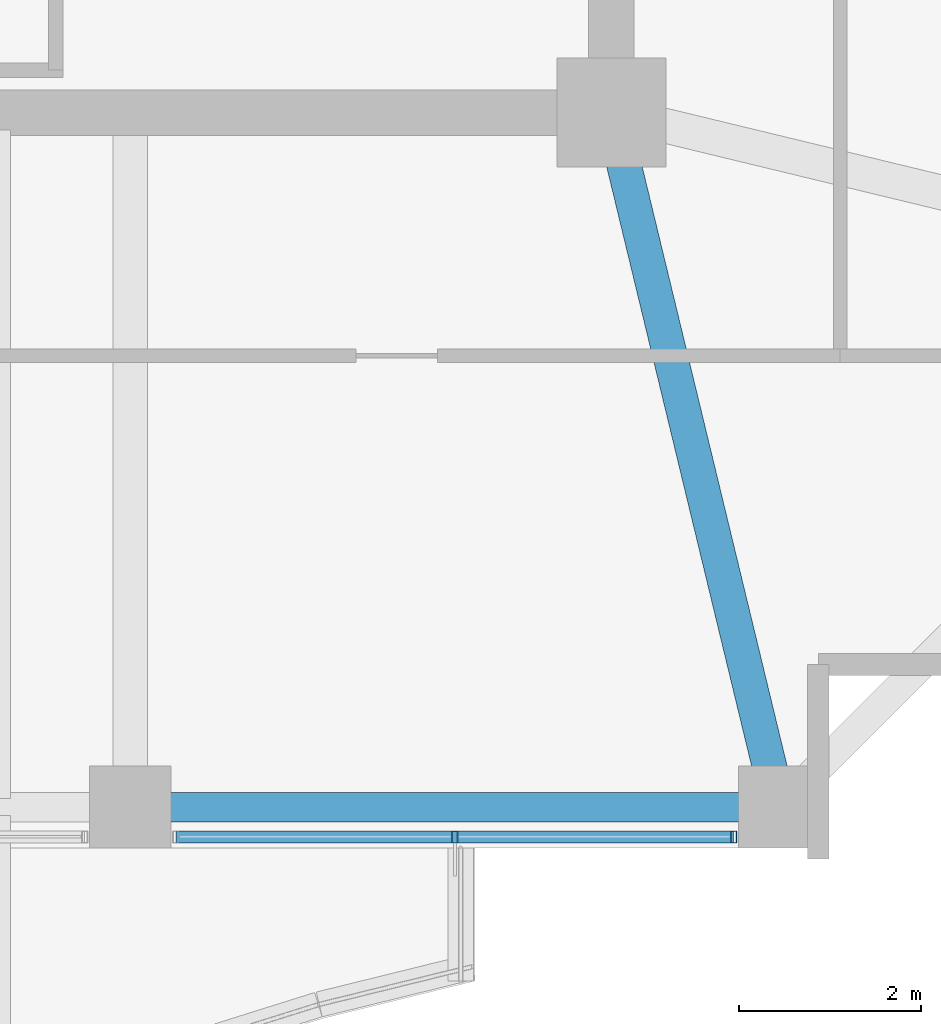
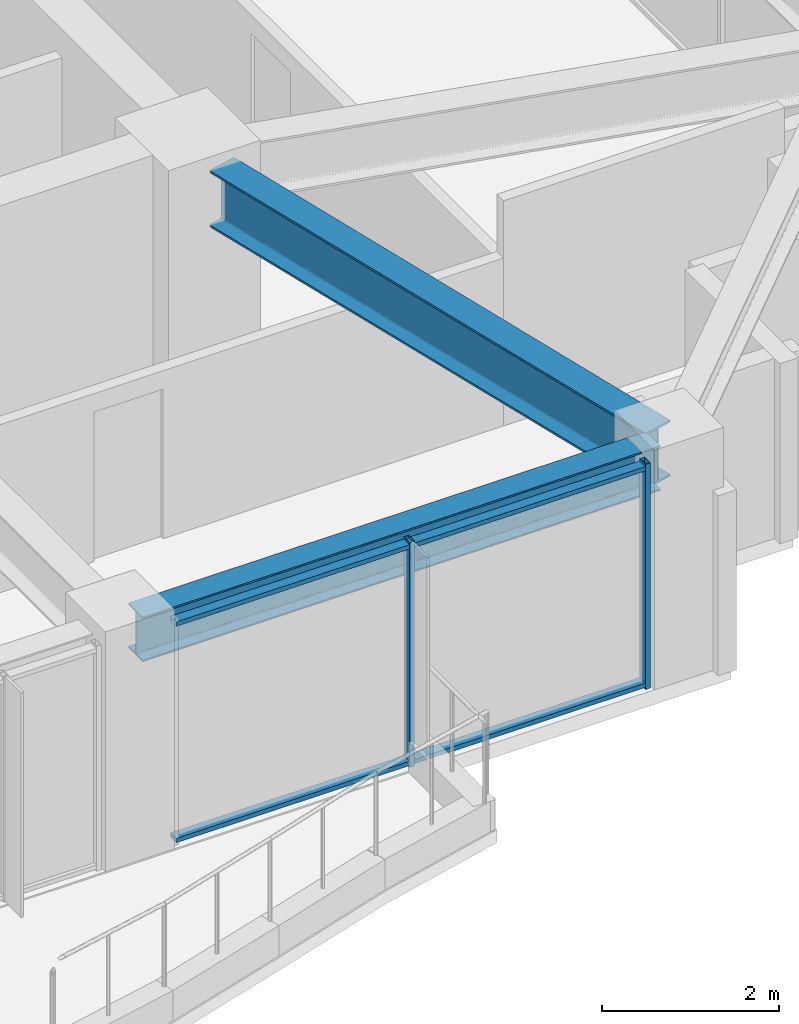
# One storey, part 8 of 31: 4 members, 2 beams, 1 element without a shape of its own.
"""IFC4 building model written with IfcOpenShell, lengths in metres."""

from ifc_helpers import new_model, si_unit, direction, frame, origin, origin_2d, place, context, subcontext, project, spatial, hollow_rectangle, i_section, extrude, material, material_profile, profile_set, type_object, element, aggregate, save


model = new_model("IFC4")

# Units and contexts
model_context = context("Model", 3, precision=1e-05, world=origin(), true_north=direction((0.0, 1.0)))
body_context = subcontext(model_context, "Body", "Model", "MODEL_VIEW")
ifc_project = project(units=[si_unit("LENGTHUNIT", "METRE"), si_unit("AREAUNIT", "SQUARE_METRE"), si_unit("VOLUMEUNIT", "CUBIC_METRE"), si_unit("PLANEANGLEUNIT", "RADIAN"), si_unit("MASSUNIT", "GRAM", prefix="KILO")], contexts=[model_context])

# Site, building, storey
site_placement = place(None, origin())
site = spatial("IfcSite", under=ifc_project, at=site_placement, CompositionType="ELEMENT")
building_placement = place(site_placement, origin())
building = spatial("IfcBuilding", under=site, at=building_placement, Name="Kolvaren Belvedere", CompositionType="ELEMENT")
storey_placement = place(building_placement, frame((0.0, 0.0, 138.199951171875)))
storey = spatial("IfcBuildingStorey", under=building, at=storey_placement, Name="L40", CompositionType="ELEMENT", Elevation=138.199951171875)

# Beams
ifc_material_1 = material(Name="Structural steel ASTM A992 Grade 50", Category="steel")
ifc_material_profile_1 = material_profile(ifc_material_1, i_section(OverallWidth=0.381103515625, OverallDepth=0.77294921875, WebThickness=0.0166015625, FlangeThickness=0.027099609375, FilletRadius=0.02392578125, at=origin_2d()), Name="W30X173")
ifc_profile_set_1 = profile_set([ifc_material_profile_1], Name="Structural steel ASTM A992 Grade 50")
beam_type_1 = type_object("IfcBeamType", Name="BM-GIRD-W30X173", PredefinedType="BEAM", material=ifc_profile_set_1)
beam_1_placement = place(storey_placement, frame((10.029296875, -10.4345703125, 2.713623046875), z_axis=(0.235062749937, -0.971980197119, 0.0), x_axis=(0.971980197119, 0.235062749937, 0.0)))
element("IfcBeam", 1, at=beam_1_placement, inside=storey, type_object=beam_type_1, Name="L40 Corner Core-to-Perimeter Girder CC2-S4", PredefinedType="BEAM", context=body_context, shape_type="SweptSolid", body=[
    extrude(i_section(OverallWidth=0.381103515625, OverallDepth=0.77294921875, WebThickness=0.0166015625, FlangeThickness=0.027099609375, FilletRadius=0.02392578125, at=origin_2d()), origin(), (0.0, 0.0, 1.0), 7.140625),
])
ifc_material_2 = material(Name="Structural steel ASTM A992 Grade 50", Category="steel")
ifc_material_profile_2 = material_profile(ifc_material_2, i_section(OverallWidth=0.324951171875, OverallDepth=0.615966796875, WebThickness=0.013916015625, FlangeThickness=0.021484375, FilletRadius=0.02001953125, at=origin_2d()), Name="W24X117")
ifc_profile_set_2 = profile_set([ifc_material_profile_2], Name="Structural steel ASTM A992 Grade 50")
beam_type_2 = type_object("IfcBeamType", Name="BM-SPAN-W24X117", PredefinedType="SPANDREL", material=ifc_profile_set_2)
beam_2_placement = place(storey_placement, frame((4.802490234375, -17.550048828125, 2.7919921875), z_axis=(1.0, 0.0, 0.0), x_axis=(0.0, 1.0, 0.0)))
element("IfcBeam", 2, at=beam_2_placement, inside=storey, type_object=beam_type_2, Name="L40 Perimeter Spandrel S3-S4", PredefinedType="SPANDREL", context=body_context, shape_type="SweptSolid", body=[
    extrude(i_section(OverallWidth=0.324951171875, OverallDepth=0.615966796875, WebThickness=0.013916015625, FlangeThickness=0.021484375, FilletRadius=0.02001953125, at=origin_2d()), origin(), (0.0, 0.0, 1.0), 6.7451171875),
])

# Curtain wall, members
ifc_material_3 = material(Name="Anodised pale-metal aluminium AA 6063-T6", Category="aluminium")
curtain_wall_type = type_object("IfcCurtainWallType", Name="CW-Z3-WAIST", PredefinedType="NOTDEFINED", material=ifc_material_3)
curtain_wall_placement = place(storey_placement, origin())
curtain_wall = element("IfcCurtainWall", 3, at=curtain_wall_placement, inside=storey, type_object=curtain_wall_type, Name="L40 Unitised Curtain Wall FCW-L40-S1-B1", PredefinedType="NOTDEFINED")
ifc_material_4 = material(Name="Anodised pale-metal aluminium AA 6063-T6", Category="aluminium")
ifc_material_profile_3 = material_profile(ifc_material_4, hollow_rectangle(XDim=0.06494140625, YDim=0.1298828125, WallThickness=0.00390625, at=origin_2d()), Name="ALU-MUL-130X65")
ifc_profile_set_3 = profile_set([ifc_material_profile_3], Name="Anodised pale-metal aluminium AA 6063-T6")
member_type_1 = type_object("IfcMemberType", Name="CW-MUL-130", PredefinedType="MULLION", material=ifc_profile_set_3)
member_1_placement = place(storey_placement, frame((11.24755859375, -17.8798828125, 0.0), z_axis=(0.0, 0.0, 1.0), x_axis=(1.0, 0.0, 0.0)))
member_1 = element("IfcMember", 4, at=member_1_placement, type_object=member_type_1, Name="FCW-L40-S1-B1 Unitised Mullion 1", PredefinedType="MULLION", context=body_context, shape_type="SweptSolid", body=[
    extrude(hollow_rectangle(XDim=0.06494140625, YDim=0.1298828125, WallThickness=0.00390625, at=origin_2d()), origin(), (0.0, 0.0, 1.0), 3.10009765625),
])
member_2_placement = place(storey_placement, frame((8.175048828125, -17.8798828125, 0.0), z_axis=(0.0, 0.0, 1.0), x_axis=(1.0, 0.0, 0.0)))
member_2 = element("IfcMember", 5, at=member_2_placement, type_object=member_type_1, Name="FCW-L40-S1-B1 Unitised Mullion 2", PredefinedType="MULLION", context=body_context, shape_type="SweptSolid", body=[
    extrude(hollow_rectangle(XDim=0.06494140625, YDim=0.1298828125, WallThickness=0.00390625, at=origin_2d()), origin(), (0.0, 0.0, 1.0), 3.10009765625),
])
ifc_material_5 = material(Name="Anodised pale-metal aluminium AA 6063-T6", Category="aluminium")
ifc_material_profile_4 = material_profile(ifc_material_5, hollow_rectangle(XDim=0.06005859375, YDim=0.1298828125, WallThickness=0.00390625, at=origin_2d()), Name="ALU-TRN-130X60")
ifc_profile_set_4 = profile_set([ifc_material_profile_4], Name="Anodised pale-metal aluminium AA 6063-T6")
member_type_2 = type_object("IfcMemberType", Name="CW-TRN-130", PredefinedType="USERDEFINED", material=ifc_profile_set_4)
member_3_placement = place(storey_placement, frame((11.24755859375, -17.8798828125, 0.06005859375), z_axis=(-1.0, 0.0, 0.0), x_axis=(0.0, 0.0, 1.0)))
member_3 = element("IfcMember", 6, at=member_3_placement, type_object=member_type_2, Name="FCW-L40-S1-B1 Sill Transom", ObjectType="TRANSOM", PredefinedType="USERDEFINED", context=body_context, shape_type="SweptSolid", body=[
    extrude(hollow_rectangle(XDim=0.06005859375, YDim=0.1298828125, WallThickness=0.00390625, at=origin_2d()), origin(), (0.0, 0.0, 1.0), 6.14501953125),
])
member_4_placement = place(storey_placement, frame((11.24755859375, -17.8798828125, 3.0400390625), z_axis=(-1.0, 0.0, 0.0), x_axis=(0.0, 0.0, 1.0)))
member_4 = element("IfcMember", 7, at=member_4_placement, type_object=member_type_2, Name="FCW-L40-S1-B1 Head Transom", ObjectType="TRANSOM", PredefinedType="USERDEFINED", context=body_context, shape_type="SweptSolid", body=[
    extrude(hollow_rectangle(XDim=0.06005859375, YDim=0.1298828125, WallThickness=0.00390625, at=origin_2d()), origin(), (0.0, 0.0, 1.0), 6.14501953125),
])
aggregate(curtain_wall, [member_1, member_2, member_3, member_4])

save(model, "model.ifc")
